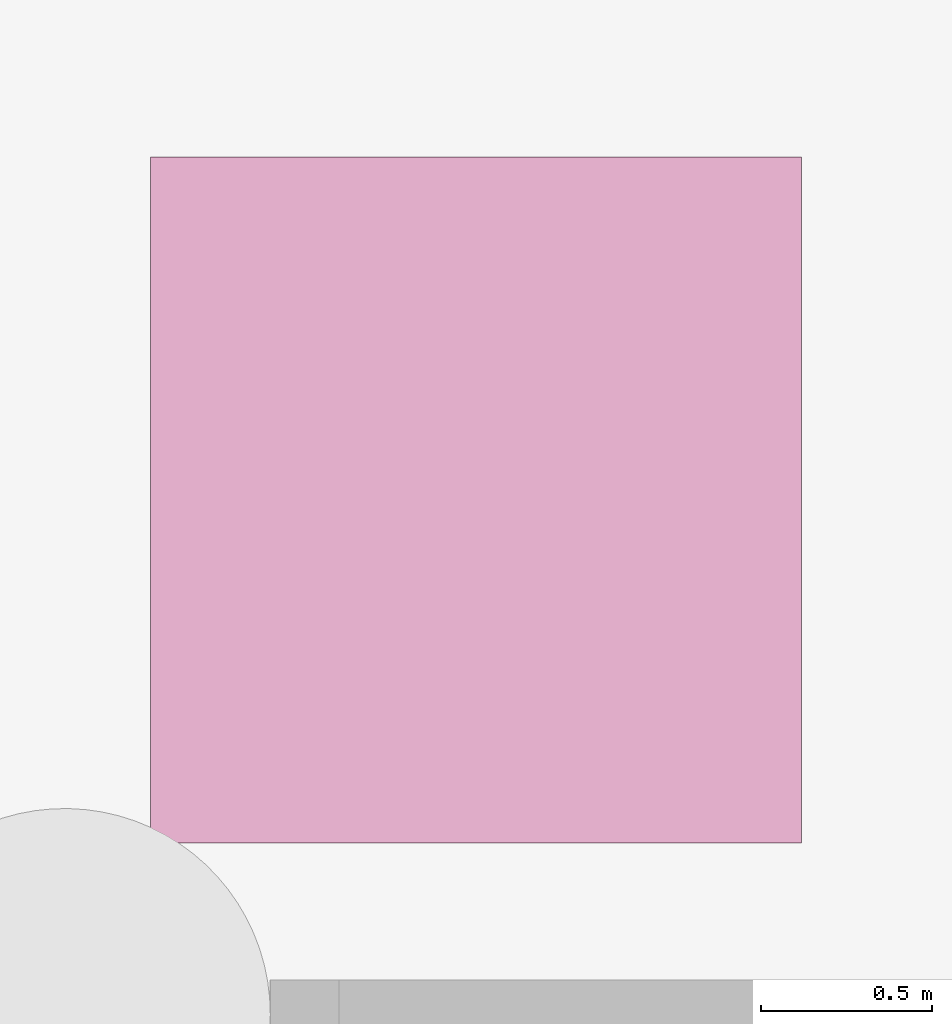
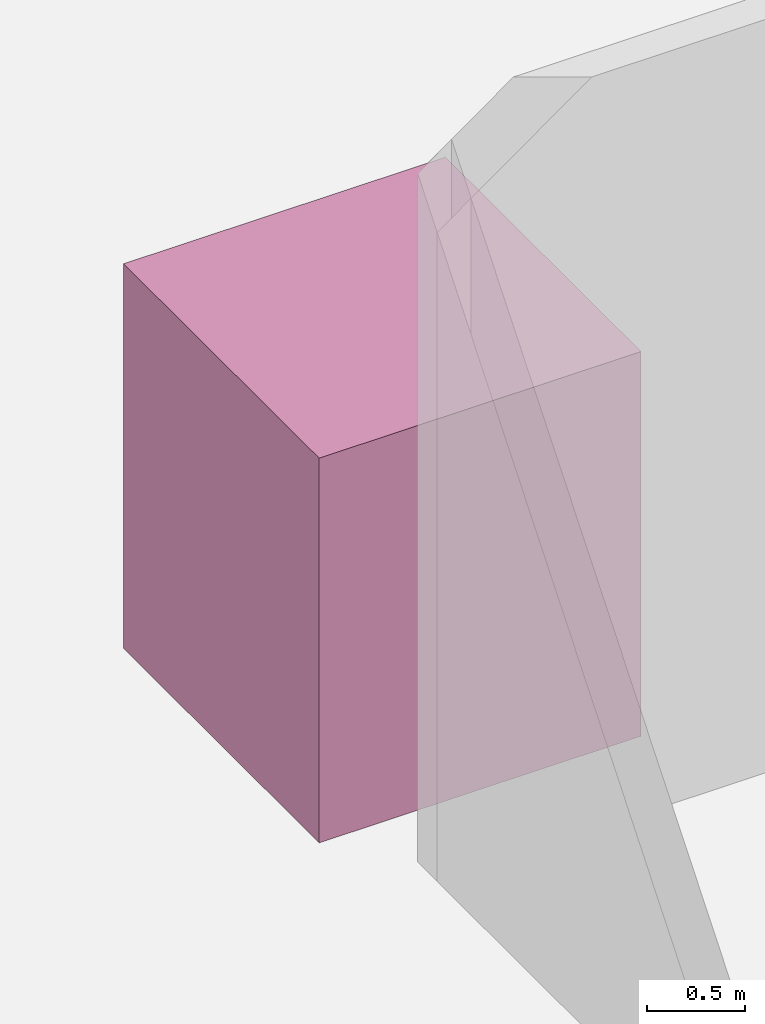
# One storey, part 14 of 14: 1 transport element.
"""IFC4 building model written with IfcOpenShell, lengths in metres."""

import ifcopenshell
import ifcopenshell.guid

model = None  # the IFC model being written
_history = None  # IfcOwnerHistory: only IFC2X3 demands one
_inside = {}  # id of a spatial element -> (the spatial element, [elements in it])
_under = {}  # id of a project, library or spatial element -> (it, [spatial elements below it])
_declared = {}  # id of a project -> (the project, [libraries it declares])
_typed = {}  # id of a type object -> (the type object, [elements of that type])
_made_of = {}  # id of a material, layer set ... -> (it, [elements and type objects made of it])


def new_model(schema):
    """Start an empty IFC model of exactly this schema.

    Asked for "IFC4X3", IfcOpenShell would pick the latest addendum, in which some entities
    have other attributes; the version numbers below select the first issue.
    IFC2X3 requires an IfcOwnerHistory on every rooted entity: one is made here for all.
    """
    global model, _history
    if schema == "IFC4X3":
        model = ifcopenshell.file(schema_version=(4, 3, 0, 0))
    else:
        model = ifcopenshell.file(schema=schema)
    _inside.clear()
    _under.clear()
    _declared.clear()
    _typed.clear()
    _made_of.clear()
    _history = None
    if model.schema == "IFC2X3":
        org = make("IfcOrganization", Name="unknown")
        user = make(
            "IfcPersonAndOrganization",
            ThePerson=make("IfcPerson", FamilyName="unknown"),
            TheOrganization=org,
        )
        app = make(
            "IfcApplication",
            ApplicationDeveloper=org,
            Version="unknown",
            ApplicationFullName="unknown",
            ApplicationIdentifier="unknown",
        )
        _history = make(
            "IfcOwnerHistory",
            OwningUser=user,
            OwningApplication=app,
            ChangeAction="ADDED",
            CreationDate=0,
        )
    return model


def make(cls, **values):
    """One entity of the class cls with the attributes given. An attribute that is None is left unset."""
    return model.create_entity(
        cls, **{name: value for name, value in values.items() if value is not None}
    )


def rooted(cls, **values):
    """An entity with a GlobalId (a new one), such as an element, a storey or a relation."""
    return make(cls, GlobalId=ifcopenshell.guid.new(), OwnerHistory=_history, **values)


def si_unit(unit_type, name, prefix=None):
    """IfcSIUnit, for example si_unit("LENGTHUNIT", "METRE", prefix="MILLI")."""
    return make("IfcSIUnit", UnitType=unit_type, Prefix=prefix, Name=name)


def assignment(units):
    """IfcUnitAssignment: the units of a project."""
    return None if units is None else make("IfcUnitAssignment", Units=units)


def point(xyz):
    """IfcCartesianPoint."""
    return None if xyz is None else make("IfcCartesianPoint", Coordinates=xyz)


def direction(xyz):
    """IfcDirection."""
    return None if xyz is None else make("IfcDirection", DirectionRatios=xyz)


def frame(location, z_axis=None, x_axis=None):
    """IfcAxis2Placement3D, a coordinate frame: its origin and axes. An axis left out is left unset."""
    return make(
        "IfcAxis2Placement3D",
        Location=point(location),
        Axis=direction(z_axis),
        RefDirection=direction(x_axis),
    )


def frame_2d(location, x_axis=None):
    """IfcAxis2Placement2D, a coordinate frame in the plane: its origin and x axis."""
    return make(
        "IfcAxis2Placement2D", Location=point(location), RefDirection=direction(x_axis)
    )


def origin():
    """The frame at (0, 0, 0) with its axes left unset."""
    return frame((0.0, 0.0, 0.0))


def origin_2d():
    """The frame at (0, 0) in the plane with its x axis left unset."""
    return frame_2d((0.0, 0.0))


def place(relative_to, where):
    """IfcLocalPlacement: puts the frame where relative to a parent placement (None: the world)."""
    return make(
        "IfcLocalPlacement", PlacementRelTo=relative_to, RelativePlacement=where
    )


def context(
    kind, dimensions, precision=None, world=None, true_north=None, identifier=None
):
    """IfcGeometricRepresentationContext, for example the 3D "Model" context."""
    return make(
        "IfcGeometricRepresentationContext",
        ContextIdentifier=identifier,
        ContextType=kind,
        CoordinateSpaceDimension=dimensions,
        Precision=precision,
        WorldCoordinateSystem=world,
        TrueNorth=true_north,
    )


def subcontext(parent, identifier, kind, view, scale=None):
    """IfcGeometricRepresentationSubContext, for example "Body" below "Model"."""
    return make(
        "IfcGeometricRepresentationSubContext",
        ContextIdentifier=identifier,
        ContextType=kind,
        ParentContext=parent,
        TargetScale=scale,
        TargetView=view,
    )


def project(units=None, contexts=None):
    """IfcProject with its units and contexts."""
    return rooted(
        "IfcProject",
        Name="project",
        RepresentationContexts=contexts,
        UnitsInContext=assignment(units),
    )


def spatial(cls, under=None, at=None, **own):
    """A site, building, storey or space (cls), placed at a placement, below another one or the project."""
    s = rooted(cls, ObjectPlacement=at, **own)
    if under is not None:
        _under.setdefault(under.id(), (under, []))[1].append(s)
    return s


def profile(cls, at=None, kind="AREA", **sizes):
    """A parametric profile (cls). Its sizes go by their IFC names, for example OverallWidth=200.0."""
    return make(cls, ProfileType=kind, Position=at, **sizes)


def rectangle(**sizes):
    """IfcRectangleProfileDef."""
    return profile("IfcRectangleProfileDef", **sizes)


def extrude(swept, where, along, depth):
    """IfcExtrudedAreaSolid: the profile swept, set in the frame where, extruded along a direction by depth."""
    return make(
        "IfcExtrudedAreaSolid",
        SweptArea=swept,
        Position=where,
        ExtrudedDirection=direction(along),
        Depth=depth,
    )


def shape(context_of_items, identifier, shape_type, items):
    """IfcShapeRepresentation: the items that make up one representation, for example the "Body"."""
    return make(
        "IfcShapeRepresentation",
        ContextOfItems=context_of_items,
        RepresentationIdentifier=identifier,
        RepresentationType=shape_type,
        Items=items,
    )


def source(mapping_origin, context_of_items, identifier, shape_type, items):
    """IfcRepresentationMap: a shape defined once, which mapped items show again and again."""
    return make(
        "IfcRepresentationMap",
        MappingOrigin=mapping_origin,
        MappedRepresentation=shape(context_of_items, identifier, shape_type, items),
    )


def transform(
    local_origin,
    x_axis=None,
    y_axis=None,
    z_axis=None,
    scale=None,
    scale2=None,
    scale3=None,
    uniform=True,
):
    """IfcCartesianTransformationOperator3D, or its non-uniform kind. x_axis, y_axis, z_axis: its Axis1, 2, 3."""
    if uniform:
        return make(
            "IfcCartesianTransformationOperator3D",
            Axis1=direction(x_axis),
            Axis2=direction(y_axis),
            LocalOrigin=point(local_origin),
            Scale=scale,
            Axis3=direction(z_axis),
        )
    return make(
        "IfcCartesianTransformationOperator3DnonUniform",
        Axis1=direction(x_axis),
        Axis2=direction(y_axis),
        LocalOrigin=point(local_origin),
        Scale=scale,
        Axis3=direction(z_axis),
        Scale2=scale2,
        Scale3=scale3,
    )


def mapped(mapping_source, mapping_target):
    """IfcMappedItem: shows the shape of a source again, moved by a transform."""
    return make(
        "IfcMappedItem", MappingSource=mapping_source, MappingTarget=mapping_target
    )


def material(Name=None, Category=None):
    """IfcMaterial."""
    return make("IfcMaterial", Name=Name, Category=Category)


def made_of(thing, what):
    """Note that an element or type object is made of a material, layer set ...; save() writes the relation."""
    if what is not None:
        _made_of.setdefault(what.id(), (what, []))[1].append(thing)
    return thing


def type_object(cls, material=None, **own):
    """A type object (cls), such as IfcWallType, which elements share."""
    return made_of(rooted(cls, **own), material)


def element(
    cls,
    number,
    at=None,
    inside=None,
    cuts=None,
    type_object=None,
    material=None,
    context=None,
    identifier="Body",
    shape_type=None,
    held_by="IfcProductDefinitionShape",
    body=None,
    shapes=None,
    **own,
):
    """One element of the class cls, such as IfcWall. Its Tag is "e" and its number.

    at: its placement. inside: the storey or other place that contains it. cuts: it is an
    opening in that element (IfcRelVoidsElement). A single representation is given by context,
    identifier, shape_type and body (its items); several are given by shapes. held_by: the class
    of the entity that holds the representations. save() writes the other relations.
    """
    e = rooted(cls, Tag="e%d" % number, ObjectPlacement=at, **own)
    if body is not None:
        shapes = [shape(context, identifier, shape_type, body)]
    if shapes is not None:
        e.Representation = make(held_by, Representations=shapes)
    if inside is not None:
        _inside.setdefault(inside.id(), (inside, []))[1].append(e)
    if cuts is not None:
        rooted(
            "IfcRelVoidsElement", RelatingBuildingElement=cuts, RelatedOpeningElement=e
        )
    if type_object is not None:
        _typed.setdefault(type_object.id(), (type_object, []))[1].append(e)
    return made_of(e, material)


def aggregate(whole, parts):
    """IfcRelAggregates: a whole, such as a stair, and the parts it consists of."""
    return rooted("IfcRelAggregates", RelatingObject=whole, RelatedObjects=parts)


def save(model, path):
    """Write the relations noted so far, then the file.

    IfcRelAggregates (storeys below a building ...), IfcRelContainedInSpatialStructure (elements
    in a storey), IfcRelDefinesByType, IfcRelAssociatesMaterial and IfcRelDeclares: one each for
    every whole, place, type object, material and project.
    """
    for whole, parts in _under.values():
        aggregate(whole, parts)
    for where, things in _inside.values():
        rooted(
            "IfcRelContainedInSpatialStructure",
            RelatedElements=things,
            RelatingStructure=where,
        )
    for kind, things in _typed.values():
        rooted("IfcRelDefinesByType", RelatedObjects=things, RelatingType=kind)
    for what, things in _made_of.values():
        rooted("IfcRelAssociatesMaterial", RelatedObjects=things, RelatingMaterial=what)
    for by, libraries in _declared.values():
        rooted("IfcRelDeclares", RelatingContext=by, RelatedDefinitions=libraries)
    model.write(path)


model = new_model("IFC4")

# Units and contexts
model_context = context("Model", 3, precision=1e-05, world=origin(), true_north=direction((0.0, 1.0)))
body_context = subcontext(model_context, "Body", "Model", "MODEL_VIEW")
ifc_project = project(units=[si_unit("LENGTHUNIT", "METRE"), si_unit("AREAUNIT", "SQUARE_METRE"), si_unit("VOLUMEUNIT", "CUBIC_METRE"), si_unit("PLANEANGLEUNIT", "RADIAN"), si_unit("MASSUNIT", "GRAM", prefix="KILO")], contexts=[model_context])

# Site, building, storey
site_placement = place(None, origin())
site = spatial("IfcSite", under=ifc_project, at=site_placement, CompositionType="ELEMENT")
building_placement = place(site_placement, origin())
building = spatial("IfcBuilding", under=site, at=building_placement, Name="Embergate Tower", CompositionType="ELEMENT")
storey_placement = place(building_placement, frame((0.0, 0.0, -10.0)))
storey = spatial("IfcBuildingStorey", under=building, at=storey_placement, Name="B2", CompositionType="ELEMENT", Elevation=-10.0)

# Transport element
ifc_material = material(Name="Service lift")
transport_element_type = type_object("IfcTransportElementType", Name="Service lift", PredefinedType="ELEVATOR", material=ifc_material)
shared_shape = source(origin(), body_context, "Body", "SweptSolid", [
    extrude(rectangle(XDim=1.89990234375, YDim=2.0, at=origin_2d()), origin(), (0.0, 0.0, 1.0), 2.39990234375),
])
transport_element_placement = place(storey_placement, frame((4.800048828125, -3.89990234375, 0.0), z_axis=(0.0, 0.0, 1.0), x_axis=(1.0, 0.0, 0.0)))
element("IfcTransportElement", 1, at=transport_element_placement, inside=storey, type_object=transport_element_type, Name="Service lift S+2", PredefinedType="ELEVATOR", context=body_context, shape_type="MappedRepresentation", body=[
    mapped(shared_shape, transform((0.0, 0.0, 0.0))),
])

save(model, "model.ifc")
